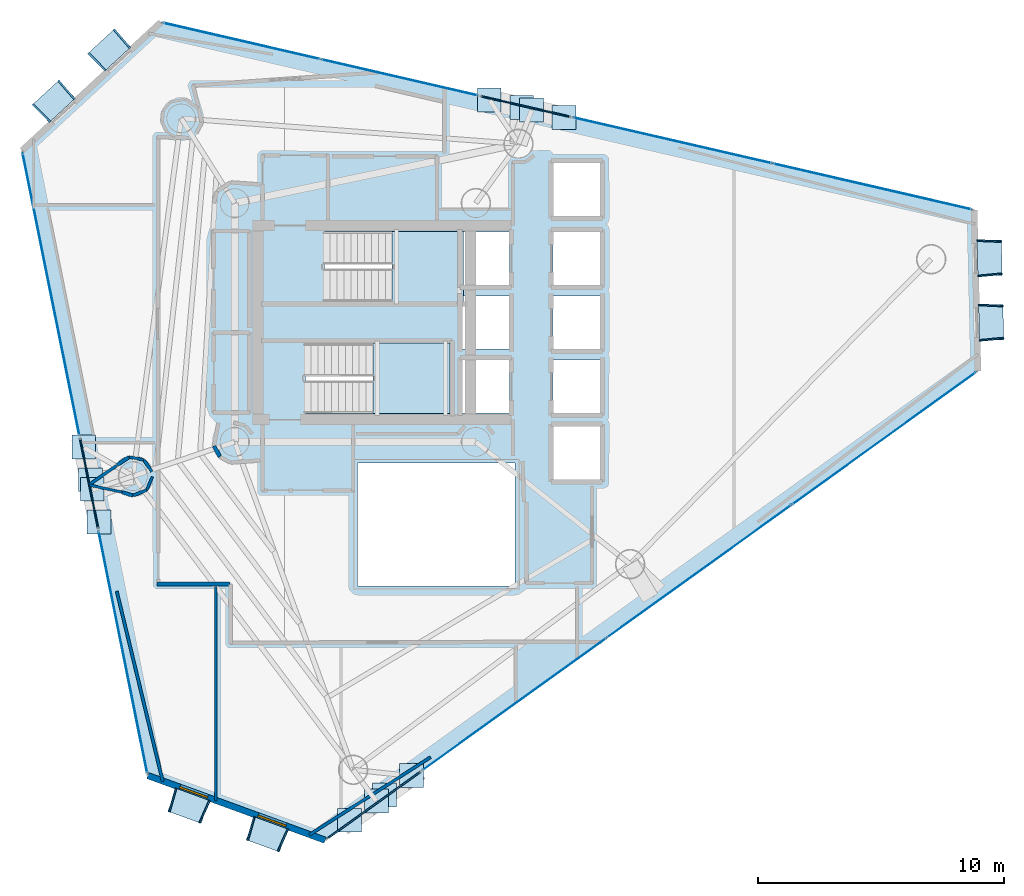
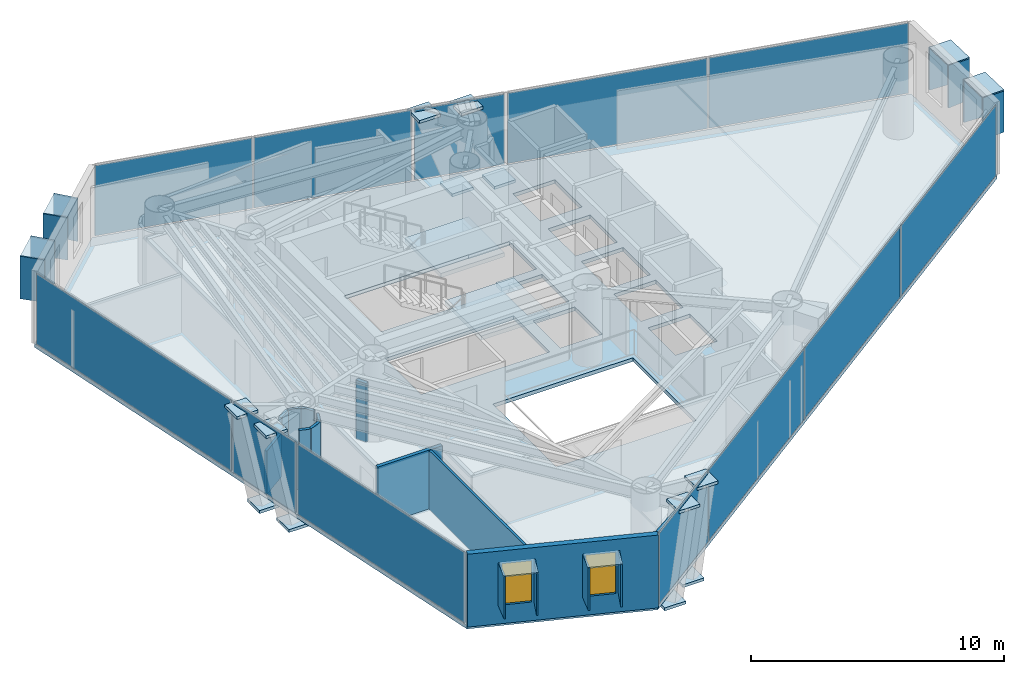
# One storey, part 16 of 22: 42 plates, 14 walls, 3 slabs, 2 windows, 2 openings, 10 elements without a shape of their own.
"""IFC4 building model written with IfcOpenShell, lengths in metres."""

from ifc_helpers import new_model, si_unit, direction, frame, frame_2d, origin, origin_2d, place, context, subcontext, project, spatial, polyline, rectangle, outline, extrude, material, layer, layer_set, type_object, element, fill, aggregate, save


model = new_model("IFC4")

# Units and contexts
model_context = context("Model", 3, precision=1e-05, world=origin(), true_north=direction((0.0, 1.0)))
body_context = subcontext(model_context, "Body", "Model", "MODEL_VIEW")
ifc_project = project(units=[si_unit("LENGTHUNIT", "METRE"), si_unit("AREAUNIT", "SQUARE_METRE"), si_unit("VOLUMEUNIT", "CUBIC_METRE"), si_unit("PLANEANGLEUNIT", "RADIAN"), si_unit("MASSUNIT", "GRAM", prefix="KILO")], contexts=[model_context])

# Site, building, storey
site_placement = place(None, origin())
site = spatial("IfcSite", under=ifc_project, at=site_placement, CompositionType="ELEMENT")
building_placement = place(site_placement, origin())
building = spatial("IfcBuilding", under=site, at=building_placement, Name="Qianvela Tower", CompositionType="ELEMENT")
storey_placement = place(building_placement, frame((0.0, 0.0, 204.0)))
storey = spatial("IfcBuildingStorey", under=building, at=storey_placement, Name="L52", CompositionType="ELEMENT", Elevation=204.0)

# Curtain wall, plate
ifc_material_1 = material(Name="Anodised Architectural Aluminium and Insulated Spandrel Panel", Category="aluminium")
ifc_layer_1 = layer(ifc_material_1, 0.179931640625)
ifc_layer_set_1 = layer_set([ifc_layer_1], Name="Anodised Architectural Aluminium and Insulated Spandrel Panel")
curtain_wall_type_1 = type_object("IfcCurtainWallType", Name="CW-BRACEBAY", PredefinedType="USERDEFINED", material=ifc_layer_set_1)
curtain_wall_1_placement = place(storey_placement, origin())
curtain_wall_1 = element("IfcCurtainWall", 1, at=curtain_wall_1_placement, inside=storey, type_object=curtain_wall_type_1, Name="L52 CW-BRACEBAY Curtain Wall 02B", ObjectType="CURTAIN_WALL_SYSTEM", PredefinedType="USERDEFINED")
ifc_material_2 = material(Name="Insulated Aluminium Spandrel Panel with Mineral-Wool Backpan", Category="aluminium")
ifc_layer_2 = layer(ifc_material_2, 0.06005859375)
ifc_layer_set_2 = layer_set([ifc_layer_2], Name="Insulated Aluminium Spandrel Panel with Mineral-Wool Backpan")
plate_type_1 = type_object("IfcPlateType", Name="CW-BRACEBAY-PNL", PredefinedType="CURTAIN_PANEL", material=ifc_layer_set_2)
plate_1_placement = place(storey_placement, frame((40.41943359375, 37.473876953125, 0.06494140625), z_axis=(0.0, 0.0, 1.0), x_axis=(-0.974399491188, 0.224823556533, 0.0)))
plate_1 = element("IfcPlate", 2, at=plate_1_placement, type_object=plate_type_1, Name="CW-9 panel 1.1", PredefinedType="CURTAIN_PANEL", context=body_context, shape_type="SweptSolid", body=[
    extrude(rectangle(XDim=3.72998046875, YDim=0.06005859375, at=origin_2d()), origin(), (0.0, 0.0, 1.0), 3.389892578125),
])
aggregate(curtain_wall_1, [plate_1])

curtain_wall_2_placement = place(storey_placement, origin())
curtain_wall_2 = element("IfcCurtainWall", 3, at=curtain_wall_2_placement, inside=storey, type_object=curtain_wall_type_1, Name="L52 CW-BRACEBAY Curtain Wall 04B", ObjectType="CURTAIN_WALL_SYSTEM", PredefinedType="USERDEFINED")
plate_2_placement = place(storey_placement, frame((22.687255859375, 22.163818359375, 0.06494140625), z_axis=(0.0, 0.0, 1.0), x_axis=(0.196985180883, -0.980406465968, 0.0)))
plate_2 = element("IfcPlate", 4, at=plate_2_placement, type_object=plate_type_1, Name="CW-9 panel 1.1", PredefinedType="CURTAIN_PANEL", context=body_context, shape_type="SweptSolid", body=[
    extrude(rectangle(XDim=3.719970703125, YDim=0.06005859375, at=origin_2d()), origin(), (0.0, 0.0, 1.0), 3.389892578125),
])
aggregate(curtain_wall_2, [plate_2])

curtain_wall_3_placement = place(storey_placement, origin())
curtain_wall_3 = element("IfcCurtainWall", 5, at=curtain_wall_3_placement, inside=storey, type_object=curtain_wall_type_1, Name="L52 CW-BRACEBAY Curtain Wall 06A", ObjectType="CURTAIN_WALL_SYSTEM", PredefinedType="USERDEFINED")
plate_3_placement = place(storey_placement, frame((34.253662109375, 9.08837890625, 0.06494140625), z_axis=(0.0, 0.0, 1.0), x_axis=(0.811957616937, 0.58371639372, 0.0)))
plate_3 = element("IfcPlate", 6, at=plate_3_placement, type_object=plate_type_1, Name="CW-9 panel 1.1", PredefinedType="CURTAIN_PANEL", context=body_context, shape_type="SweptSolid", body=[
    extrude(rectangle(XDim=4.639892578125, YDim=0.06005859375, at=origin_2d()), origin(), (0.0, 0.0, 1.0), 3.389892578125),
])
aggregate(curtain_wall_3, [plate_3])

# Curtain wall, plates
ifc_material_3 = material(Name="Anodised Architectural Aluminium and Low-E Glass", Category="aluminium")
ifc_layer_3 = layer(ifc_material_3, 0.159912109375)
ifc_layer_set_3 = layer_set([ifc_layer_3], Name="Anodised Architectural Aluminium and Low-E Glass")
curtain_wall_type_2 = type_object("IfcCurtainWallType", Name="CW-COLIV-Z56", PredefinedType="USERDEFINED", material=ifc_layer_set_3)
curtain_wall_4_placement = place(storey_placement, origin())
curtain_wall_4 = element("IfcCurtainWall", 7, at=curtain_wall_4_placement, inside=storey, type_object=curtain_wall_type_2, Name="L52 CW-COLIV-Z56 Curtain Wall 02A", ObjectType="CURTAIN_WALL_SYSTEM", PredefinedType="USERDEFINED")
ifc_material_4 = material(Name="Double-Silver Low-E Insulated Glass", Category="glass")
ifc_layer_4 = layer(ifc_material_4, 0.028076171875)
ifc_layer_set_4 = layer_set([ifc_layer_4], Name="Double-Silver Low-E Insulated Glass")
plate_type_2 = type_object("IfcPlateType", Name="CW-COLIV-Z56-PNL", PredefinedType="CURTAIN_PANEL", material=ifc_layer_set_4)
plate_4_placement = place(storey_placement, frame((54.503173828125, 34.22412109375, 0.06005859375), z_axis=(0.0, 0.0, 1.0), x_axis=(-0.974397646532, 0.224831551238, 0.0)))
plate_4 = element("IfcPlate", 8, at=plate_4_placement, type_object=plate_type_2, Name="CW-5 panel 1.1", PredefinedType="CURTAIN_PANEL", context=body_context, shape_type="SweptSolid", body=[
    extrude(rectangle(XDim=8.262451171875, YDim=0.028076171875, at=origin_2d()), origin(), (0.0, 0.0, 1.0), 3.39990234375),
])
plate_5_placement = place(storey_placement, frame((46.388916015625, 36.096435546875, 0.06005859375), z_axis=(0.0, 0.0, 1.0), x_axis=(-0.974397646532, 0.224831551238, 0.0)))
plate_5 = element("IfcPlate", 9, at=plate_5_placement, type_object=plate_type_2, Name="CW-5 panel 2.1", PredefinedType="CURTAIN_PANEL", context=body_context, shape_type="SweptSolid", body=[
    extrude(rectangle(XDim=8.262451171875, YDim=0.028076171875, at=origin_2d()), origin(), (0.0, 0.0, 1.0), 3.39990234375),
])
aggregate(curtain_wall_4, [plate_4, plate_5])

curtain_wall_5_placement = place(storey_placement, origin())
curtain_wall_5 = element("IfcCurtainWall", 10, at=curtain_wall_5_placement, inside=storey, type_object=curtain_wall_type_2, Name="L52 CW-COLIV-Z56 Curtain Wall 02C", ObjectType="CURTAIN_WALL_SYSTEM", PredefinedType="USERDEFINED")
plate_6_placement = place(storey_placement, frame((35.30078125, 38.65478515625, 0.06005859375), z_axis=(0.0, 0.0, 1.0), x_axis=(-0.974396674132, 0.224835765484, 0.0)))
plate_6 = element("IfcPlate", 11, at=plate_6_placement, type_object=plate_type_2, Name="CW-5 panel 1.1", PredefinedType="CURTAIN_PANEL", context=body_context, shape_type="SweptSolid", body=[
    extrude(rectangle(XDim=6.516357421875, YDim=0.028076171875, at=origin_2d()), origin(), (0.0, 0.0, 1.0), 3.39990234375),
])
plate_7_placement = place(storey_placement, frame((28.887939453125, 40.134521484375, 0.06005859375), z_axis=(0.0, 0.0, 1.0), x_axis=(-0.974396674132, 0.224835765484, 0.0)))
plate_7 = element("IfcPlate", 12, at=plate_7_placement, type_object=plate_type_2, Name="CW-5 panel 2.1", PredefinedType="CURTAIN_PANEL", context=body_context, shape_type="SweptSolid", body=[
    extrude(rectangle(XDim=6.516357421875, YDim=0.028076171875, at=origin_2d()), origin(), (0.0, 0.0, 1.0), 3.39990234375),
])
aggregate(curtain_wall_5, [plate_6, plate_7])

# Curtain wall, plate
curtain_wall_6_placement = place(storey_placement, origin())
curtain_wall_6 = element("IfcCurtainWall", 13, at=curtain_wall_6_placement, inside=storey, type_object=curtain_wall_type_2, Name="L52 CW-COLIV-Z56 Curtain Wall 04A", ObjectType="CURTAIN_WALL_SYSTEM", PredefinedType="USERDEFINED")
plate_8_placement = place(storey_placement, frame((21.14404296875, 29.84521484375, 0.06005859375), z_axis=(0.0, 0.0, 1.0), x_axis=(0.196979980613, -0.980407510802, 0.0)))
plate_8 = element("IfcPlate", 14, at=plate_8_placement, type_object=plate_type_2, Name="CW-5 panel 1.1", PredefinedType="CURTAIN_PANEL", context=body_context, shape_type="SweptSolid", body=[
    extrude(rectangle(XDim=11.68994140625, YDim=0.028076171875, at=origin_2d()), origin(), (0.0, 0.0, 1.0), 3.39990234375),
])
aggregate(curtain_wall_6, [plate_8])

curtain_wall_7_placement = place(storey_placement, origin())
curtain_wall_7 = element("IfcCurtainWall", 15, at=curtain_wall_7_placement, inside=storey, type_object=curtain_wall_type_2, Name="L52 CW-COLIV-Z56 Curtain Wall 04C", ObjectType="CURTAIN_WALL_SYSTEM", PredefinedType="USERDEFINED")
plate_9_placement = place(storey_placement, frame((24.064453125, 15.30908203125, 0.06005859375), z_axis=(0.0, 0.0, 1.0), x_axis=(0.19697766591, -0.980407975861, 0.0)))
plate_9 = element("IfcPlate", 16, at=plate_9_placement, type_object=plate_type_2, Name="CW-5 panel 1.1", PredefinedType="CURTAIN_PANEL", context=body_context, shape_type="SweptSolid", body=[
    extrude(rectangle(XDim=10.003173828125, YDim=0.028076171875, at=origin_2d()), origin(), (0.0, 0.0, 1.0), 3.39990234375),
])
aggregate(curtain_wall_7, [plate_9])

# Curtain wall, plates
curtain_wall_8_placement = place(storey_placement, origin())
curtain_wall_8 = element("IfcCurtainWall", 17, at=curtain_wall_8_placement, inside=storey, type_object=curtain_wall_type_2, Name="L52 CW-COLIV-Z56 Curtain Wall 06B", ObjectType="CURTAIN_WALL_SYSTEM", PredefinedType="USERDEFINED")
plate_10_placement = place(storey_placement, frame((39.9638671875, 13.193359375, 0.06005859375), z_axis=(0.0, 0.0, 1.0), x_axis=(0.811951730676, 0.583724581505, 0.0)))
plate_10 = element("IfcPlate", 18, at=plate_10_placement, type_object=plate_type_2, Name="CW-5 panel 1.1", PredefinedType="CURTAIN_PANEL", context=body_context, shape_type="SweptSolid", body=[
    extrude(rectangle(XDim=9.165283203125, YDim=0.028076171875, at=origin_2d()), origin(), (0.0, 0.0, 1.0), 3.39990234375),
])
plate_11_placement = place(storey_placement, frame((47.471435546875, 18.5908203125, 0.06005859375), z_axis=(0.0, 0.0, 1.0), x_axis=(0.811951730676, 0.583724581505, 0.0)))
plate_11 = element("IfcPlate", 19, at=plate_11_placement, type_object=plate_type_2, Name="CW-5 panel 2.1", PredefinedType="CURTAIN_PANEL", context=body_context, shape_type="SweptSolid", body=[
    extrude(rectangle(XDim=9.19775390625, YDim=0.028076171875, at=origin_2d()), origin(), (0.0, 0.0, 1.0), 3.39990234375),
])
plate_12_placement = place(storey_placement, frame((54.979248046875, 23.98828125, 0.06005859375), z_axis=(0.0, 0.0, 1.0), x_axis=(0.811951730676, 0.583724581505, 0.0)))
plate_12 = element("IfcPlate", 20, at=plate_12_placement, type_object=plate_type_2, Name="CW-5 panel 3.1", PredefinedType="CURTAIN_PANEL", context=body_context, shape_type="SweptSolid", body=[
    extrude(rectangle(XDim=9.165283203125, YDim=0.028076171875, at=origin_2d()), origin(), (0.0, 0.0, 1.0), 3.39990234375),
])
aggregate(curtain_wall_8, [plate_10, plate_11, plate_12])

# Plates
ifc_material_5 = material(Name="Steel Q420GJC", Category="steel")
ifc_layer_5 = layer(ifc_material_5, 0.139892578125)
ifc_layer_set_5 = layer_set([ifc_layer_5], Name="Steel Q420GJC")
plate_type_3 = type_object("IfcPlateType", Name="PT-GUSSET-NODE-140", PredefinedType="USERDEFINED", material=ifc_layer_set_5)
for number, where, z_axis, x_axis, name in (
    (21, (41.97412109375, 37.032958984375, -0.61328125), (0.0, 0.0, 1.0), (1.0, 0.0, 0.0), "L52 Node Gusset Plate A"),
    (22, (40.65283203125, 37.337890625, 3.20947265625), (0.0, 0.0, 1.0), (1.0, 0.0, 0.0), "L52 Node Gusset Plate B"),
    (23, (40.2666015625, 37.427001953125, -0.61328125), (0.0, 0.0, 1.0), (1.0, 0.0, 0.0), "L52 Node Gusset Plate A"),
    (24, (38.945068359375, 37.73193359375, 3.20947265625), (0.0, 0.0, 1.0), (1.0, 0.0, 0.0), "L52 Node Gusset Plate B"),
    (25, (22.73876953125, 22.31396484375, -0.61328125), (0.0, 0.0, 1.0), (1.0, 0.0, 0.0), "L52 Node Gusset Plate A"),
    (26, (22.4716796875, 23.6435546875, 3.20947265625), (0.0, 0.0, 1.0), (1.0, 0.0, 0.0), "L52 Node Gusset Plate B"),
    (27, (23.083984375, 20.595703125, -0.61328125), (0.0, 0.0, 1.0), (1.0, 0.0, 0.0), "L52 Node Gusset Plate A"),
    (28, (22.81689453125, 21.92529296875, 3.20947265625), (0.0, 0.0, 1.0), (1.0, 0.0, 0.0), "L52 Node Gusset Plate B"),
    (29, (33.267822265625, 8.47802734375, -0.61328125), (0.0, 0.0, 1.0), (1.0, 0.0, 0.0), "L52 Node Gusset Plate A"),
    (30, (34.368896484375, 9.269775390625, 3.20947265625), (0.0, 0.0, 1.0), (1.0, 0.0, 0.0), "L52 Node Gusset Plate B"),
    (31, (34.69091796875, 9.501220703125, -0.61328125), (0.0, 0.0, 1.0), (1.0, 0.0, 0.0), "L52 Node Gusset Plate A"),
    (32, (35.791748046875, 10.292724609375, 3.20947265625), (0.0, 0.0, 1.0), (1.0, 0.0, 0.0), "L52 Node Gusset Plate B"),
):
    element("IfcPlate", number, at=place(storey_placement, frame(where, z_axis=z_axis, x_axis=x_axis)), inside=storey, type_object=plate_type_3, Name=name, ObjectType="GUSSET_PLATE", PredefinedType="USERDEFINED", context=body_context, shape_type="SweptSolid", body=[
        extrude(rectangle(XDim=0.969970703125, YDim=0.969970703125, at=origin_2d()), origin(), (0.0, 0.0, 1.0), 0.139892578125),
    ])

# Slab
ifc_material_6 = material(Name="Concrete C40", Category="concrete")
ifc_layer_6 = layer(ifc_material_6, 0.179931640625)
ifc_layer_set_6 = layer_set([ifc_layer_6], Name="Concrete C40")
slab_type_1 = type_object("IfcSlabType", Name="SL-FLOOR-180", PredefinedType="FLOOR", material=ifc_layer_set_6)
slab_1_placement = place(storey_placement, frame((0.0, 0.0, -0.179931640625)))
element("IfcSlab", 33, at=slab_1_placement, inside=storey, type_object=slab_type_1, Name="L52 Composite Structural Floor Slab", PredefinedType="FLOOR", context=body_context, shape_type="SweptSolid", body=[
    extrude(outline(polyline([(58.79345703125, 26.730224609375), (58.640869140625, 33.26953125), (25.60107421875, 40.89306640625), (19.969970703125, 35.6884765625), (25.072265625, 10.292724609375), (32.276611328125, 7.6669921875), (58.79345703125, 26.730224609375)]), holes=[polyline([(40.0, 23.0), (33.60009765625, 23.0), (33.60009765625, 18.0), (40.0, 18.0), (40.0, 23.0)]), polyline([(39.760009765625, 27.179931640625), (37.840087890625, 27.179931640625), (37.840087890625, 25.02001953125), (39.760009765625, 25.02001953125), (39.760009765625, 27.179931640625)]), polyline([(37.35009765625, 27.860107421875), (31.469970703125, 27.860107421875), (31.469970703125, 25.0), (37.35009765625, 25.0), (37.35009765625, 27.860107421875)]), polyline([(37.840087890625, 27.6201171875), (39.760009765625, 27.6201171875), (39.760009765625, 29.780029296875), (37.89990234375, 29.780029296875), (37.89990234375, 30.219970703125), (39.760009765625, 30.219970703125), (39.760009765625, 32.3798828125), (37.89990234375, 32.3798828125), (37.89990234375, 32.39990234375), (32.25, 32.39990234375), (32.25, 29.5400390625), (37.840087890625, 29.5400390625), (37.840087890625, 27.6201171875)]), polyline([(43.4599609375, 22.320068359375), (43.4599609375, 24.47998046875), (41.5400390625, 24.47998046875), (41.5400390625, 22.320068359375), (43.4599609375, 22.320068359375)]), polyline([(43.4599609375, 25.02001953125), (43.4599609375, 27.179931640625), (41.5400390625, 27.179931640625), (41.5400390625, 25.02001953125), (43.4599609375, 25.02001953125)]), polyline([(43.4599609375, 29.780029296875), (41.5400390625, 29.780029296875), (41.5400390625, 27.6201171875), (43.4599609375, 27.6201171875), (43.4599609375, 29.780029296875)]), polyline([(43.4599609375, 30.219970703125), (43.4599609375, 32.3798828125), (41.5400390625, 32.3798828125), (41.5400390625, 30.219970703125), (43.4599609375, 30.219970703125)]), polyline([(43.4599609375, 33.02001953125), (43.4599609375, 35.179931640625), (41.5400390625, 35.179931640625), (41.5400390625, 33.02001953125), (43.4599609375, 33.02001953125)])]), origin(), (0.0, 0.0, 1.0), 0.179931640625),
])

# Stair, slab
ifc_material_7 = material(Name="Concrete C40", Category="concrete")
stair_type = type_object("IfcStairType", Name="ST-DOGLEG-1350-R168-N22", PredefinedType="HALF_TURN_STAIR", material=ifc_material_7)
stair_1_placement = place(storey_placement, origin())
stair_1 = element("IfcStair", 34, at=stair_1_placement, inside=storey, type_object=stair_type, Name="L52 Smoke-Proof Core Stair ST-1", PredefinedType="HALF_TURN_STAIR")
ifc_material_8 = material(Name="Concrete C40", Category="concrete")
ifc_layer_7 = layer(ifc_material_8, 0.199951171875)
ifc_layer_set_7 = layer_set([ifc_layer_7], Name="Concrete C40")
slab_type_2 = type_object("IfcSlabType", Name="SL-STAIR-LANDING-200", PredefinedType="LANDING", material=ifc_layer_set_7)
slab_2_placement = place(storey_placement, frame((0.0, 0.0, 1.64990234375)))
slab_2 = element("IfcSlab", 35, at=slab_2_placement, type_object=slab_type_2, Name="ST-1 landing 1", PredefinedType="LANDING", context=body_context, shape_type="SweptSolid", body=[
    extrude(outline(polyline([(35.0, 29.5400390625), (37.89990234375, 29.5400390625), (37.89990234375, 32.39990234375), (35.0, 32.39990234375), (35.0, 29.5400390625)])), origin(), (0.0, 0.0, 1.0), 0.2001953125),
])
aggregate(stair_1, [slab_2])

stair_2_placement = place(storey_placement, origin())
stair_2 = element("IfcStair", 36, at=stair_2_placement, inside=storey, type_object=stair_type, Name="L52 Smoke-Proof Core Stair ST-2", PredefinedType="HALF_TURN_STAIR")
slab_3_placement = place(storey_placement, frame((0.0, 0.0, 1.64990234375)))
slab_3 = element("IfcSlab", 37, at=slab_3_placement, type_object=slab_type_2, Name="ST-2 landing 1", PredefinedType="LANDING", context=body_context, shape_type="SweptSolid", body=[
    extrude(outline(polyline([(34.219970703125, 25.0), (37.35009765625, 25.0), (37.35009765625, 27.860107421875), (34.219970703125, 27.860107421875), (34.219970703125, 25.0)])), origin(), (0.0, 0.0, 1.0), 0.2001953125),
])
aggregate(stair_2, [slab_3])

# Plates
ifc_material_9 = material(Name="Vitrified Architectural Terracotta Panel", Category="masonry")
ifc_layer_8 = layer(ifc_material_9, 0.06005859375)
ifc_layer_set_8 = layer_set([ifc_layer_8], Name="Vitrified Architectural Terracotta Panel")
plate_type_4 = type_object("IfcPlateType", Name="TERRACOTTA-SUNSHADE-HOOD-FOLD-A", PredefinedType="USERDEFINED", material=ifc_layer_set_8)
for number, where, z_axis, x_axis, name in (
    (38, (59.33251953125, 28.705810546875, 2.909912109375), (0.0, 0.0, 1.0), (-0.023329444697, 0.999727831467, 0.0), "L52 Terracotta Sunshade Hood FOLD-A"),
    (39, (59.271484375, 31.3212890625, 2.909912109375), (0.0, 0.0, 1.0), (-0.023329444697, 0.999727831467, 0.0), "L52 Terracotta Sunshade Hood FOLD-A"),
    (40, (26.732666015625, 9.06494140625, 2.909912109375), (0.0, 0.0, 1.0), (0.939539710927, -0.342439967865, 0.0), "L52 Terracotta Sunshade Hood FOLD-A"),
    (41, (29.9150390625, 7.905029296875, 2.909912109375), (0.0, 0.0, 1.0), (0.939539710927, -0.342439967865, 0.0), "L52 Terracotta Sunshade Hood FOLD-A"),
):
    element("IfcPlate", number, at=place(storey_placement, frame(where, z_axis=z_axis, x_axis=x_axis)), inside=storey, type_object=plate_type_4, Name=name, ObjectType="SUNSHADE", PredefinedType="USERDEFINED", context=body_context, shape_type="SweptSolid", body=[
        extrude(rectangle(XDim=1.43994140625, YDim=0.989990234375, at=origin_2d()), origin(), (0.0, 0.0, 1.0), 0.06005859375),
    ])
ifc_material_10 = material(Name="Vitrified Architectural Terracotta Panel", Category="masonry")
ifc_layer_9 = layer(ifc_material_10, 0.070068359375)
ifc_layer_set_9 = layer_set([ifc_layer_9], Name="Vitrified Architectural Terracotta Panel")
plate_type_5 = type_object("IfcPlateType", Name="TERRACOTTA-SUNSHADE-HOOD-FOLD-C", PredefinedType="USERDEFINED", material=ifc_layer_set_9)
for number, where, z_axis, x_axis, name in (
    (42, (23.5146484375, 39.76123046875, 2.909912109375), (0.0, 0.0, 1.0), (-0.734369896878, -0.678749478497, 0.0), "L52 Terracotta Sunshade Hood FOLD-C"),
    (43, (21.26220703125, 37.679443359375, 2.909912109375), (0.0, 0.0, 1.0), (-0.734369896878, -0.678749478497, 0.0), "L52 Terracotta Sunshade Hood FOLD-C"),
):
    element("IfcPlate", number, at=place(storey_placement, frame(where, z_axis=z_axis, x_axis=x_axis)), inside=storey, type_object=plate_type_5, Name=name, ObjectType="SUNSHADE", PredefinedType="USERDEFINED", context=body_context, shape_type="SweptSolid", body=[
        extrude(rectangle(XDim=1.43994140625, YDim=0.989990234375, at=origin_2d()), origin(), (0.0, 0.0, 1.0), 0.06005859375),
    ])
ifc_material_11 = material(Name="Vitrified Architectural Terracotta Side Fin Panel", Category="masonry")
ifc_layer_10 = layer(ifc_material_11, 0.06494140625)
ifc_layer_set_10 = layer_set([ifc_layer_10], Name="Vitrified Architectural Terracotta Side Fin Panel")
plate_type_6 = type_object("IfcPlateType", Name="TERRACOTTA-SUNSHADE-STRUT-FOLD-A", PredefinedType="USERDEFINED", material=ifc_layer_set_10)
for number, where, z_axis, x_axis, name in (
    (44, (59.3486328125, 28.015869140625, 0.89990234375), (0.0, 0.0, 1.0), (-0.093010103569, 0.995665164919, 0.0), "L52 Terracotta Sunshade Side Fin HL FOLD-A"),
    (45, (59.31640625, 29.3955078125, 0.89990234375), (0.0, 0.0, 1.0), (0.046464872885, 0.998919924512, 0.0), "L52 Terracotta Sunshade Side Fin HR FOLD-A"),
    (46, (59.28759765625, 30.631591796875, 0.89990234375), (0.0, 0.0, 1.0), (-0.093010103569, 0.995665164919, 0.0), "L52 Terracotta Sunshade Side Fin HL FOLD-A"),
    (47, (59.25537109375, 32.01123046875, 0.89990234375), (0.0, 0.0, 1.0), (0.046464872885, 0.998919924512, 0.0), "L52 Terracotta Sunshade Side Fin HR FOLD-A"),
    (48, (26.084228515625, 9.30126953125, 0.89990234375), (0.0, 0.0, 1.0), (0.961138444039, -0.276066824138, 0.0), "L52 Terracotta Sunshade Side Fin HL FOLD-A"),
    (49, (27.380859375, 8.82861328125, 0.89990234375), (0.0, 0.0, 1.0), (0.913363634785, -0.407144778491, 0.0), "L52 Terracotta Sunshade Side Fin HR FOLD-A"),
    (50, (29.2666015625, 8.141357421875, 0.89990234375), (0.0, 0.0, 1.0), (0.961138444039, -0.276066824138, 0.0), "L52 Terracotta Sunshade Side Fin HL FOLD-A"),
    (51, (30.563232421875, 7.668701171875, 0.89990234375), (0.0, 0.0, 1.0), (0.913363634785, -0.407144778491, 0.0), "L52 Terracotta Sunshade Side Fin HR FOLD-A"),
):
    element("IfcPlate", number, at=place(storey_placement, frame(where, z_axis=z_axis, x_axis=x_axis)), inside=storey, type_object=plate_type_6, Name=name, ObjectType="SUNSHADE", PredefinedType="USERDEFINED", context=body_context, shape_type="SweptSolid", body=[
        extrude(rectangle(XDim=0.06494140625, YDim=1.010009765625, at=origin_2d()), origin(), (0.0, 0.0, 1.0), 2.06005859375),
    ])
ifc_material_12 = material(Name="Vitrified Architectural Terracotta Side Fin Panel", Category="masonry")
ifc_layer_11 = layer(ifc_material_12, 0.074951171875)
ifc_layer_set_11 = layer_set([ifc_layer_11], Name="Vitrified Architectural Terracotta Side Fin Panel")
plate_type_7 = type_object("IfcPlateType", Name="TERRACOTTA-SUNSHADE-STRUT-FOLD-C", PredefinedType="USERDEFINED", material=ifc_layer_set_11)
for number, where, z_axis, x_axis, name in (
    (52, (24.021484375, 40.2294921875, 0.89990234375), (0.0, 0.0, 1.0), (-0.757610553765, -0.652706862859, 0.0), "L52 Terracotta Sunshade Side Fin HL FOLD-C"),
    (53, (23.008056640625, 39.29296875, 0.89990234375), (0.0, 0.0, 1.0), (-0.710234523392, -0.703965142448, 0.0), "L52 Terracotta Sunshade Side Fin HR FOLD-C"),
    (54, (21.76904296875, 38.147705078125, 0.89990234375), (0.0, 0.0, 1.0), (-0.757610553765, -0.652706862859, 0.0), "L52 Terracotta Sunshade Side Fin HL FOLD-C"),
    (55, (20.755615234375, 37.2109375, 0.89990234375), (0.0, 0.0, 1.0), (-0.710234523392, -0.703965142448, 0.0), "L52 Terracotta Sunshade Side Fin HR FOLD-C"),
):
    element("IfcPlate", number, at=place(storey_placement, frame(where, z_axis=z_axis, x_axis=x_axis)), inside=storey, type_object=plate_type_7, Name=name, ObjectType="SUNSHADE", PredefinedType="USERDEFINED", context=body_context, shape_type="SweptSolid", body=[
        extrude(rectangle(XDim=0.074951171875, YDim=1.010009765625, at=origin_2d()), origin(), (0.0, 0.0, 1.0), 2.06005859375),
    ])

# Wall, openings, windows
ifc_material_13 = material(Name="Terracotta Cladding on Concrete C40", Category="masonry")
ifc_layer_12 = layer(ifc_material_13, 0.260009765625)
ifc_layer_set_12 = layer_set([ifc_layer_12], Name="Terracotta Cladding on Concrete C40")
wall_type_1 = type_object("IfcWallType", Name="TERRACOTTA-WALL-260", PredefinedType="SOLIDWALL", material=ifc_layer_set_12)
wall_1_placement = place(storey_placement, frame((25.072265625, 10.292724609375, 0.0), z_axis=(0.0, 0.0, 1.0), x_axis=(0.939543106306, -0.342430651948, 0.0)))
wall_1 = element("IfcWall", 56, at=wall_1_placement, inside=storey, type_object=wall_type_1, Name="L52 Terracotta Chamfer Facet Wall 5", PredefinedType="SOLIDWALL", context=body_context, shape_type="SweptSolid", body=[
    extrude(rectangle(XDim=7.66796875, YDim=0.260009765625, at=frame_2d((3.833984375, 0.0))), origin(), (0.0, 0.0, 1.0), 3.52001953125),
])
opening_1_placement = place(wall_1_placement, frame((1.38037109375, 0.0, 0.89990234375)))
opening_1 = element("IfcOpeningElement", 57, at=opening_1_placement, cuts=wall_1, Name="Opening W-03", PredefinedType="OPENING", context=body_context, shape_type="SweptSolid", body=[
    extrude(rectangle(XDim=1.199951171875, YDim=2.0, at=frame_2d((0.60009765625, 1.0))), frame((0.0, 0.139892578125, 0.0), z_axis=(0.0, -1.0, 0.0), x_axis=(1.0, 0.0, 0.0)), (0.0, 0.0, 1.0), 0.280029296875),
])
opening_2_placement = place(wall_1_placement, frame((4.767578125, 0.0, 0.89990234375)))
opening_2 = element("IfcOpeningElement", 58, at=opening_2_placement, cuts=wall_1, Name="Opening W-03", PredefinedType="OPENING", context=body_context, shape_type="SweptSolid", body=[
    extrude(rectangle(XDim=1.199951171875, YDim=2.0, at=frame_2d((0.60009765625, 1.0))), frame((0.0, 0.139892578125, 0.0), z_axis=(0.0, -1.0, 0.0), x_axis=(1.0, 0.0, 0.0)), (0.0, 0.0, 1.0), 0.280029296875),
])
ifc_material_14 = material(Name="Thermally Broken Aluminium and Low-E Glass", Category="aluminium")
window_type = type_object("IfcWindowType", Name="WIN-TC-1200x2000", PartitioningType="SINGLE_PANEL", PredefinedType="WINDOW", material=ifc_material_14)
window_1_placement = place(opening_1_placement, origin())
window_1 = element("IfcWindow", 59, at=window_1_placement, inside=storey, type_object=window_type, Name="L52 Chamfer Facet Window 5.1", OverallHeight=2.0, OverallWidth=1.199951171875, PartitioningType="SINGLE_PANEL", PredefinedType="WINDOW", context=body_context, shape_type="SweptSolid", body=[
    extrude(rectangle(XDim=1.199951171875, YDim=2.0, at=frame_2d((0.60009765625, 1.0))), frame((0.0, 0.030029296875, 0.0), z_axis=(0.0, -1.0, 0.0), x_axis=(1.0, 0.0, 0.0)), (0.0, 0.0, 1.0), 0.06005859375),
])
fill(opening_1, window_1)
window_2_placement = place(opening_2_placement, origin())
window_2 = element("IfcWindow", 60, at=window_2_placement, inside=storey, type_object=window_type, Name="L52 Chamfer Facet Window 5.2", OverallHeight=2.0, OverallWidth=1.199951171875, PartitioningType="SINGLE_PANEL", PredefinedType="WINDOW", context=body_context, shape_type="SweptSolid", body=[
    extrude(rectangle(XDim=1.199951171875, YDim=2.0, at=frame_2d((0.60009765625, 1.0))), frame((0.0, 0.030029296875, 0.0), z_axis=(0.0, -1.0, 0.0), x_axis=(1.0, 0.0, 0.0)), (0.0, 0.0, 1.0), 0.06005859375),
])
fill(opening_2, window_2)

# Walls
ifc_material_15 = material(Name="Fire-Rated Gypsum and Concrete Block", Category="concrete")
ifc_layer_13 = layer(ifc_material_15, 0.159912109375)
ifc_layer_set_13 = layer_set([ifc_layer_13], Name="Fire-Rated Gypsum and Concrete Block")
wall_type_2 = type_object("IfcWallType", Name="WT-CORR-160", PredefinedType="PARTITIONING", material=ifc_layer_set_13)
wall_2_placement = place(storey_placement, frame((27.768310546875, 23.67529296875, 0.0), z_axis=(0.0, 0.0, 1.0), x_axis=(0.471865548338, -0.881670519123, 0.0)))
element("IfcWall", 61, at=wall_2_placement, inside=storey, type_object=wall_type_2, Name="L52 Partition 63", PredefinedType="PARTITIONING", context=body_context, shape_type="SweptSolid", body=[
    extrude(rectangle(XDim=0.47607421875, YDim=0.159912109375, at=frame_2d((0.238037109375, 0.0))), origin(), (0.0, 0.0, 1.0), 2.840087890625),
])
wall_3_placement = place(storey_placement, frame((28.39990234375, 18.0810546875, 0.0), z_axis=(0.0, 0.0, 1.0), x_axis=(-1.0, 0.0, 0.0)))
element("IfcWall", 62, at=wall_3_placement, inside=storey, type_object=wall_type_2, Name="L52 Partition 72", PredefinedType="PARTITIONING", context=body_context, shape_type="SweptSolid", body=[
    extrude(rectangle(XDim=2.949951171875, YDim=0.159912109375, at=frame_2d((1.47509765625, 0.0))), origin(), (0.0, 0.0, 1.0), 2.840087890625),
])
ifc_material_16 = material(Name="Lightweight Gypsum Room Partition")
ifc_layer_14 = layer(ifc_material_16, 0.10498046875)
ifc_layer_set_14 = layer_set([ifc_layer_14], Name="Lightweight Gypsum Room Partition")
wall_type_3 = type_object("IfcWallType", Name="WT-PART-105", PredefinedType="PARTITIONING", material=ifc_layer_set_14)
wall_4_placement = place(storey_placement, frame((24.900390625, 23.122314453125, 0.0), z_axis=(0.0, 0.0, 1.0), x_axis=(-0.980773892286, 0.195147565217, 0.0)))
element("IfcWall", 63, at=wall_4_placement, inside=storey, type_object=wall_type_3, Name="L52 Partition 77", PredefinedType="PARTITIONING", context=body_context, shape_type="SweptSolid", body=[
    extrude(rectangle(XDim=0.581787109375, YDim=0.10498046875, at=frame_2d((0.291015625, 0.0))), origin(), (0.0, 0.0, 1.0), 2.840087890625),
])
wall_5_placement = place(storey_placement, frame((22.701416015625, 22.09375, 0.0), z_axis=(0.0, 0.0, 1.0), x_axis=(0.977868408838, -0.209220876102, 0.0)))
element("IfcWall", 64, at=wall_5_placement, inside=storey, type_object=wall_type_3, Name="L52 Partition 80", PredefinedType="PARTITIONING", context=body_context, shape_type="SweptSolid", body=[
    extrude(rectangle(XDim=1.3525390625, YDim=0.10498046875, at=frame_2d((0.67626953125, 0.0))), origin(), (0.0, 0.0, 1.0), 2.094970703125),
])
wall_6_placement = place(storey_placement, frame((25.0380859375, 21.910400390625, 0.0), z_axis=(0.0, 0.0, 1.0), x_axis=(0.389093528864, 0.921198255424, 0.0)))
element("IfcWall", 65, at=wall_6_placement, inside=storey, type_object=wall_type_3, Name="L52 Partition 83", PredefinedType="PARTITIONING", context=body_context, shape_type="SweptSolid", body=[
    extrude(rectangle(XDim=0.568359375, YDim=0.10498046875, at=frame_2d((0.2841796875, 0.0))), origin(), (0.0, 0.0, 1.0), 2.840087890625),
])
wall_7_placement = place(storey_placement, frame((27.826904296875, 17.969970703125, 0.0), z_axis=(0.0, 0.0, 1.0), x_axis=(0.0, -1.0, 0.0)))
element("IfcWall", 66, at=wall_7_placement, inside=storey, type_object=wall_type_3, Name="L52 Partition 86", PredefinedType="PARTITIONING", context=body_context, shape_type="SweptSolid", body=[
    extrude(rectangle(XDim=8.701171875, YDim=0.10498046875, at=frame_2d((4.3505859375, 0.0))), origin(), (0.0, 0.0, 1.0), 2.840087890625),
])
ifc_material_17 = material(Name="Insulated Gypsum Stud Partition")
ifc_layer_15 = layer(ifc_material_17, 0.1201171875)
ifc_layer_set_15 = layer_set([ifc_layer_15], Name="Insulated Gypsum Stud Partition")
wall_type_4 = type_object("IfcWallType", Name="WT-PART-120", PredefinedType="PARTITIONING", material=ifc_layer_set_15)
wall_8_placement = place(storey_placement, frame((25.237548828125, 22.6435546875, 0.0), z_axis=(0.0, 0.0, 1.0), x_axis=(-0.563363697458, 0.826209019792, 0.0)))
element("IfcWall", 67, at=wall_8_placement, inside=storey, type_object=wall_type_4, Name="L52 Partition 76", PredefinedType="PARTITIONING", context=body_context, shape_type="SweptSolid", body=[
    extrude(rectangle(XDim=0.563720703125, YDim=0.1201171875, at=frame_2d((0.28173828125, 0.0))), origin(), (0.0, 0.0, 1.0), 2.840087890625),
])
wall_9_placement = place(storey_placement, frame((23.809814453125, 22.88818359375, 0.0), z_axis=(0.0, 0.0, 1.0), x_axis=(-0.821958461882, -0.569547440466, 0.0)))
element("IfcWall", 68, at=wall_9_placement, inside=storey, type_object=wall_type_4, Name="L52 Partition 79 seg 1", PredefinedType="PARTITIONING", context=body_context, shape_type="SweptSolid", body=[
    extrude(rectangle(XDim=1.354248046875, YDim=0.1201171875, at=frame_2d((0.67724609375, 0.0))), origin(), (0.0, 0.0, 1.0), 2.094970703125),
])
wall_10_placement = place(storey_placement, frame((24.48388671875, 21.67138671875, 0.0), z_axis=(0.0, 0.0, 1.0), x_axis=(0.923832639322, 0.382796622927, 0.0)))
element("IfcWall", 69, at=wall_10_placement, inside=storey, type_object=wall_type_4, Name="L52 Partition 82", PredefinedType="PARTITIONING", context=body_context, shape_type="SweptSolid", body=[
    extrude(rectangle(XDim=0.58154296875, YDim=0.1201171875, at=frame_2d((0.290771484375, 0.0))), origin(), (0.0, 0.0, 1.0), 2.840087890625),
])
wall_11_placement = place(storey_placement, frame((25.6826171875, 10.05224609375, 0.0), z_axis=(0.0, 0.0, 1.0), x_axis=(-0.235157394154, 0.971957303576, 0.0)))
element("IfcWall", 70, at=wall_11_placement, inside=storey, type_object=wall_type_4, Name="L52 Partition 88 seg 1", PredefinedType="PARTITIONING", context=body_context, shape_type="SweptSolid", body=[
    extrude(rectangle(XDim=7.956787109375, YDim=0.1201171875, at=frame_2d((3.978515625, 0.0))), origin(), (0.0, 0.0, 1.0), 2.840087890625),
])
wall_12_placement = place(storey_placement, frame((36.560302734375, 11.0419921875, 0.0), z_axis=(0.0, 0.0, 1.0), x_axis=(-0.841833935687, -0.539736625333, 0.0)))
element("IfcWall", 71, at=wall_12_placement, inside=storey, type_object=wall_type_4, Name="L52 Partition 130 seg 1", PredefinedType="PARTITIONING", context=body_context, shape_type="SweptSolid", body=[
    extrude(rectangle(XDim=5.851806640625, YDim=0.1201171875, at=frame_2d((2.92578125, 0.0))), origin(), (0.0, 0.0, 1.0), 2.840087890625),
])
ifc_material_18 = material(Name="Acoustic Double Gypsum Stud Partition")
ifc_layer_16 = layer(ifc_material_18, 0.139892578125)
ifc_layer_set_16 = layer_set([ifc_layer_16], Name="Acoustic Double Gypsum Stud Partition")
wall_type_5 = type_object("IfcWallType", Name="WT-ROOM-140", PredefinedType="PARTITIONING", material=ifc_layer_set_16)
wall_13_placement = place(storey_placement, frame((24.306396484375, 23.231201171875, 0.0), z_axis=(0.0, 0.0, 1.0), x_axis=(-0.831274401047, -0.555862276256, 0.0)))
element("IfcWall", 72, at=wall_13_placement, inside=storey, type_object=wall_type_5, Name="L52 Partition 78", PredefinedType="PARTITIONING", context=body_context, shape_type="SweptSolid", body=[
    extrude(rectangle(XDim=0.58154296875, YDim=0.139892578125, at=frame_2d((0.290771484375, 0.0))), origin(), (0.0, 0.0, 1.0), 2.840087890625),
])
wall_14_placement = place(storey_placement, frame((24.040771484375, 21.79833984375, 0.0), z_axis=(0.0, 0.0, 1.0), x_axis=(0.957015093463, -0.290038119708, 0.0)))
element("IfcWall", 73, at=wall_14_placement, inside=storey, type_object=wall_type_5, Name="L52 Partition 81 seg 1", PredefinedType="PARTITIONING", context=body_context, shape_type="SweptSolid", body=[
    extrude(rectangle(XDim=0.441162109375, YDim=0.139892578125, at=frame_2d((0.220703125, 0.0))), origin(), (0.0, 0.0, 1.0), 2.840087890625),
])

save(model, "model.ifc")
